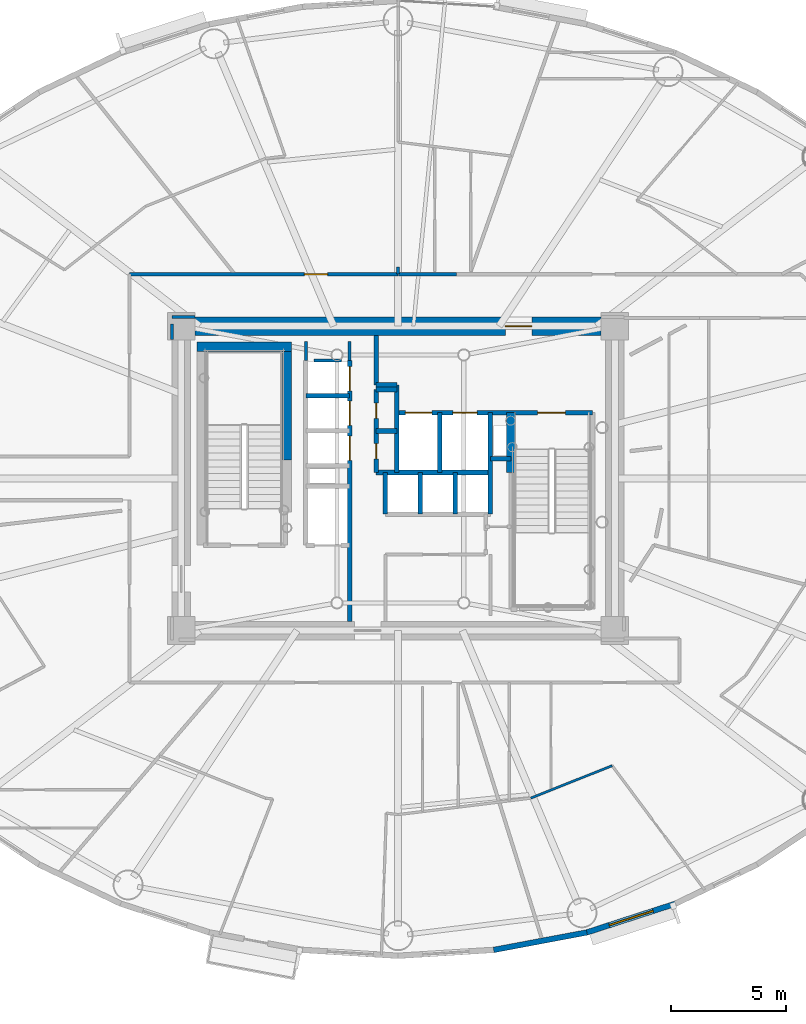
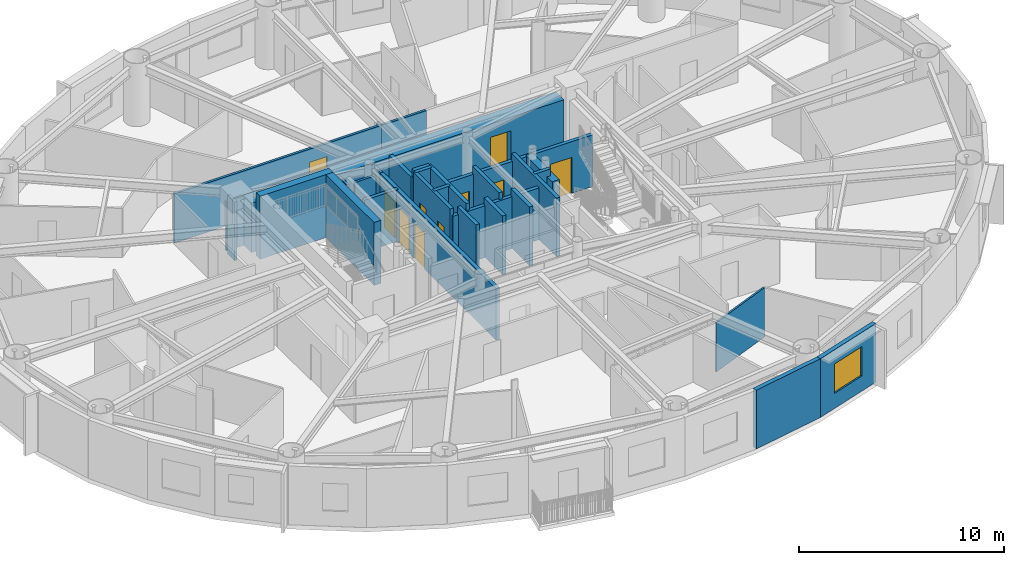
# One storey, part 8 of 17: 31 walls, 10 doors, 1 window, 11 openings.
"""IFC4 building model written with IfcOpenShell, lengths in metres."""

from ifc_helpers import new_model, si_unit, direction, frame, frame_2d, origin, origin_2d, place, context, subcontext, project, spatial, rectangle, extrude, source, transform, mapped, material, layer, layer_set, type_object, element, fill, save


model = new_model("IFC4")

# Units and contexts
model_context = context("Model", 3, precision=1e-05, world=origin(), true_north=direction((0.0, 1.0)))
body_context = subcontext(model_context, "Body", "Model", "MODEL_VIEW")
ifc_project = project(units=[si_unit("LENGTHUNIT", "METRE"), si_unit("AREAUNIT", "SQUARE_METRE"), si_unit("VOLUMEUNIT", "CUBIC_METRE"), si_unit("PLANEANGLEUNIT", "RADIAN"), si_unit("MASSUNIT", "GRAM", prefix="KILO")], contexts=[model_context])

# Site, building, storey
site_placement = place(None, origin())
site = spatial("IfcSite", under=ifc_project, at=site_placement, CompositionType="ELEMENT")
building_placement = place(site_placement, origin())
building = spatial("IfcBuilding", under=site, at=building_placement, Name="Linh Dai School and Residence Tower", CompositionType="ELEMENT")
storey_placement = place(building_placement, frame((0.0, 0.0, 182.39990234375)))
storey = spatial("IfcBuildingStorey", under=building, at=storey_placement, Name="L44", CompositionType="ELEMENT", Elevation=182.39990234375)

# Wall
ifc_material_1 = material(Name="Precast Concrete B45 (C35/45)", Category="concrete")
ifc_layer_1 = layer(ifc_material_1, 0.239990234375)
ifc_layer_set_1 = layer_set([ifc_layer_1], Name="Precast Concrete B45 (C35/45)")
wall_type_1 = type_object("IfcWallType", Name="EW-TC-240", PredefinedType="SOLIDWALL", material=ifc_layer_set_1)
wall_1_placement = place(storey_placement, frame((44.18896484375, 7.310546875, 0.0), z_axis=(0.0, 0.0, 1.0), x_axis=(-0.982788108205, -0.184736391573, 0.0)))
element("IfcWall", 1, at=wall_1_placement, inside=storey, type_object=wall_type_1, Name="L44 Terracotta Exterior Wall 32", PredefinedType="SOLIDWALL", context=body_context, shape_type="SweptSolid", body=[
    extrude(rectangle(XDim=4.114013671875, YDim=0.239990234375, at=frame_2d((2.05712890625, 0.0))), origin(), (0.0, 0.0, 1.0), 3.5),
])

# Wall, opening, window
wall_2_placement = place(storey_placement, frame((48.02978515625, 8.556396484375, 0.0), z_axis=(0.0, 0.0, 1.0), x_axis=(-0.951209870236, -0.30854462038, 0.0)))
wall_2 = element("IfcWall", 2, at=wall_2_placement, inside=storey, type_object=wall_type_1, Name="L44 Terracotta Exterior Wall 33", PredefinedType="SOLIDWALL", context=body_context, shape_type="SweptSolid", body=[
    extrude(rectangle(XDim=4.037841796875, YDim=0.239990234375, at=frame_2d((2.01904296875, 0.0))), origin(), (0.0, 0.0, 1.0), 3.5),
])
opening_1_placement = place(wall_2_placement, frame((1.01904296875, 0.0, 0.89990234375)))
opening_1 = element("IfcOpeningElement", 3, at=opening_1_placement, cuts=wall_2, Name="Opening W1", PredefinedType="OPENING", context=body_context, shape_type="SweptSolid", body=[
    extrude(rectangle(XDim=2.0, YDim=1.75, at=origin_2d()), frame((1.0, 0.1298828125, 0.875), z_axis=(0.0, -1.0, 0.0), x_axis=(1.0, 0.0, 0.0)), (0.0, 0.0, 1.0), 0.260009765625),
])
ifc_material_2 = material(Name="Double Low-E Insulated Glazing", Category="glass")
window_type = type_object("IfcWindowType", Name="WN-RES-2000x1750", PartitioningType="DOUBLE_PANEL_VERTICAL", PredefinedType="WINDOW", material=ifc_material_2)
shared_shape_1 = source(origin(), body_context, "Body", "SweptSolid", [
    extrude(rectangle(XDim=2.0, YDim=1.75, at=origin_2d()), frame((1.0, 0.030029296875, 0.875), z_axis=(0.0, -1.0, 0.0), x_axis=(1.0, 0.0, 0.0)), (0.0, 0.0, 1.0), 0.06005859375),
])
window_placement = place(opening_1_placement, origin())
window = element("IfcWindow", 4, at=window_placement, inside=storey, type_object=window_type, Name="L44 Exterior Window 33.1", OverallHeight=1.75, OverallWidth=2.0, PartitioningType="DOUBLE_PANEL_VERTICAL", PredefinedType="WINDOW", context=body_context, shape_type="MappedRepresentation", body=[
    mapped(shared_shape_1, transform((0.0, 0.0, 0.0), x_axis=(1.0, 0.0, 0.0), y_axis=(0.0, 1.0, 0.0), z_axis=(0.0, 0.0, 1.0), scale=1.0)),
])
fill(opening_1, window)

# Wall, opening, door
ifc_material_3 = material(Name="Autoclaved Aerated Concrete Blockwork", Category="masonry")
ifc_layer_2 = layer(ifc_material_3, 0.135009765625)
ifc_layer_set_2 = layer_set([ifc_layer_2], Name="Autoclaved Aerated Concrete Blockwork")
wall_type_2 = type_object("IfcWallType", Name="IW-CORR-135-EI90", PredefinedType="PARTITIONING", material=ifc_layer_set_2)
wall_3_placement = place(storey_placement, frame((24.35009765625, 35.85009765625, 0.0), z_axis=(0.0, 0.0, 1.0), x_axis=(1.0, 0.0, 0.0)))
wall_3 = element("IfcWall", 5, at=wall_3_placement, inside=storey, type_object=wall_type_2, Name="L44 Interior Partition Wall 024", PredefinedType="PARTITIONING", context=body_context, shape_type="SweptSolid", body=[
    extrude(rectangle(XDim=11.654052734375, YDim=0.135009765625, at=frame_2d((5.8271484375, 0.0))), origin(), (0.0, 0.0, 1.0), 2.93505859375),
])
opening_2_placement = place(wall_3_placement, frame((7.59228515625, 0.0, 0.0)))
opening_2 = element("IfcOpeningElement", 6, at=opening_2_placement, cuts=wall_3, Name="Opening D03", PredefinedType="OPENING", context=body_context, shape_type="SweptSolid", body=[
    extrude(rectangle(XDim=1.0, YDim=2.14990234375, at=origin_2d()), frame((0.5, 0.07763671875, 1.074951171875), z_axis=(0.0, -1.0, 0.0), x_axis=(1.0, 0.0, 0.0)), (0.0, 0.0, 1.0), 0.155029296875),
])
ifc_material_4 = material(Name="Fire-Rated Solid Timber Entrance Door", Category="wood")
door_type_1 = type_object("IfcDoorType", Name="DR-FLAT-1000x2150-FD60S", OperationType="NOTDEFINED", PredefinedType="DOOR", material=ifc_material_4)
shared_shape_2 = source(origin(), body_context, "Body", "SweptSolid", [
    extrude(rectangle(XDim=1.0, YDim=2.14990234375, at=origin_2d()), frame((0.5, 0.02490234375, 1.074951171875), z_axis=(0.0, -1.0, 0.0), x_axis=(1.0, 0.0, 0.0)), (0.0, 0.0, 1.0), 0.050048828125),
])
door_1_placement = place(opening_2_placement, origin())
door_1 = element("IfcDoor", 7, at=door_1_placement, inside=storey, type_object=door_type_1, Name="L44 U4402 Apartment Entrance Door", OperationType="SINGLE_SWING_RIGHT", OverallHeight=2.14990234375, OverallWidth=1.0, PredefinedType="DOOR", context=body_context, shape_type="MappedRepresentation", body=[
    mapped(shared_shape_2, transform((0.0, 0.0, 0.0), x_axis=(1.0, 0.0, 0.0), y_axis=(0.0, 1.0, 0.0), z_axis=(0.0, 0.0, 1.0), scale=1.0)),
])
fill(opening_2, door_1)

# Walls
wall_4_placement = place(storey_placement, frame((32.360107421875, 32.10009765625, 0.0), z_axis=(0.0, 0.0, 1.0), x_axis=(1.0, 0.0, 0.0)))
element("IfcWall", 8, at=wall_4_placement, inside=storey, type_object=wall_type_2, Name="L44 Interior Partition Wall 101", PredefinedType="PARTITIONING", context=body_context, shape_type="SweptSolid", body=[
    extrude(rectangle(XDim=1.179931640625, YDim=0.135009765625, at=frame_2d((0.58984375, 0.0))), origin(), (0.0, 0.0, 1.0), 3.085205078125),
])
wall_5_placement = place(storey_placement, frame((32.0, 32.93994140625, 0.0), z_axis=(0.0, 0.0, 1.0), x_axis=(0.0, -1.0, 0.0)))
element("IfcWall", 9, at=wall_5_placement, inside=storey, type_object=wall_type_2, Name="L44 Interior Partition Wall 103", PredefinedType="PARTITIONING", context=body_context, shape_type="SweptSolid", body=[
    extrude(rectangle(XDim=0.829833984375, YDim=0.135009765625, at=frame_2d((0.4150390625, 0.0))), origin(), (0.0, 0.0, 1.0), 3.03515625),
])
wall_6_placement = place(storey_placement, frame((33.89990234375, 32.110107421875, 0.0), z_axis=(0.0, 0.0, 1.0), x_axis=(0.0, 1.0, 0.0)))
element("IfcWall", 10, at=wall_6_placement, inside=storey, type_object=wall_type_2, Name="L44 Interior Partition Wall 104", PredefinedType="PARTITIONING", context=body_context, shape_type="SweptSolid", body=[
    extrude(rectangle(XDim=0.829833984375, YDim=0.135009765625, at=frame_2d((0.4150390625, 0.0))), origin(), (0.0, 0.0, 1.0), 3.085205078125),
])
wall_7_placement = place(storey_placement, frame((36.01416015625, 35.85009765625, 0.0), z_axis=(0.0, 0.0, 1.0), x_axis=(1.0, 0.0, 0.0)))
element("IfcWall", 11, at=wall_7_placement, inside=storey, type_object=wall_type_2, Name="L44 Interior Partition Wall 106", PredefinedType="PARTITIONING", context=body_context, shape_type="SweptSolid", body=[
    extrude(rectangle(XDim=2.51708984375, YDim=0.135009765625, at=frame_2d((1.258544921875, 0.0))), origin(), (0.0, 0.0, 1.0), 2.93505859375),
])
wall_8_placement = place(storey_placement, frame((27.18994140625, 34.0, 0.0), z_axis=(0.0, 0.0, 1.0), x_axis=(-1.0, 0.0, 0.0)))
element("IfcWall", 12, at=wall_8_placement, inside=storey, type_object=wall_type_2, Name="L44 Interior Partition Wall 109", PredefinedType="PARTITIONING", context=body_context, shape_type="SweptSolid", body=[
    extrude(rectangle(XDim=0.989990234375, YDim=0.135009765625, at=frame_2d((0.4951171875, 0.0))), origin(), (0.0, 0.0, 1.0), 2.93505859375),
])
wall_9_placement = place(storey_placement, frame((26.199951171875, 33.6923828125, 0.0), z_axis=(0.0, 0.0, 1.0), x_axis=(0.0, -1.0, 0.0)))
element("IfcWall", 13, at=wall_9_placement, inside=storey, type_object=wall_type_2, Name="L44 Interior Partition Wall 110", PredefinedType="PARTITIONING", context=body_context, shape_type="SweptSolid", body=[
    extrude(rectangle(XDim=0.682373046875, YDim=0.135009765625, at=frame_2d((0.34130859375, 0.0))), origin(), (0.0, 0.0, 1.0), 3.5),
])
wall_10_placement = place(storey_placement, frame((36.004150390625, 36.164794921875, 0.0), z_axis=(0.0, 0.0, 1.0), x_axis=(0.0, -1.0, 0.0)))
element("IfcWall", 14, at=wall_10_placement, inside=storey, type_object=wall_type_2, Name="L44 Interior Partition Wall 117", PredefinedType="PARTITIONING", context=body_context, shape_type="SweptSolid", body=[
    extrude(rectangle(XDim=0.314697265625, YDim=0.135009765625, at=frame_2d((0.1572265625, 0.0))), origin(), (0.0, 0.0, 1.0), 2.93505859375),
])
ifc_material_5 = material(Name="Concrete B45 (C35/45)", Category="concrete")
ifc_layer_3 = layer(ifc_material_5, 0.199951171875)
ifc_layer_set_3 = layer_set([ifc_layer_3], Name="Concrete B45 (C35/45)")
wall_type_3 = type_object("IfcWallType", Name="IW-SHAFT-200-EI120", PredefinedType="PARTITIONING", material=ifc_layer_set_3)
wall_11_placement = place(storey_placement, frame((32.0, 30.580078125, 0.0), z_axis=(0.0, 0.0, 1.0), x_axis=(1.0, 0.0, 0.0)))
element("IfcWall", 15, at=wall_11_placement, inside=storey, type_object=wall_type_3, Name="L44 Interior Partition Wall 038", PredefinedType="PARTITIONING", context=body_context, shape_type="SweptSolid", body=[
    extrude(rectangle(XDim=1.89990234375, YDim=0.199951171875, at=frame_2d((0.949951171875, 0.0))), origin(), (0.0, 0.0, 1.0), 3.085205078125),
])

# Wall, openings, doors
wall_12_placement = place(storey_placement, frame((33.89990234375, 20.800048828125, 0.0), z_axis=(0.0, 0.0, 1.0), x_axis=(0.0, 1.0, 0.0)))
wall_12 = element("IfcWall", 16, at=wall_12_placement, inside=storey, type_object=wall_type_3, Name="L44 Interior Partition Wall 039", PredefinedType="PARTITIONING", context=body_context, shape_type="SweptSolid", body=[
    extrude(rectangle(XDim=11.300048828125, YDim=0.199951171875, at=frame_2d((5.64990234375, 0.0))), origin(), (0.0, 0.0, 1.0), 3.085205078125),
])
opening_3_placement = place(wall_12_placement, frame((6.97998046875, 0.0, 0.0)))
opening_3 = element("IfcOpeningElement", 17, at=opening_3_placement, cuts=wall_12, Name="Opening LD-PL4", PredefinedType="OPENING", context=body_context, shape_type="SweptSolid", body=[
    extrude(rectangle(XDim=1.050048828125, YDim=2.14990234375, at=origin_2d()), frame((0.52490234375, 0.10986328125, 1.074951171875), z_axis=(0.0, -1.0, 0.0), x_axis=(1.0, 0.0, 0.0)), (0.0, 0.0, 1.0), 0.219970703125),
])
opening_4_placement = place(wall_12_placement, frame((8.4951171875, 0.0, 0.0)))
opening_4 = element("IfcOpeningElement", 18, at=opening_4_placement, cuts=wall_12, Name="Opening LD-PL5", PredefinedType="OPENING", context=body_context, shape_type="SweptSolid", body=[
    extrude(rectangle(XDim=1.050048828125, YDim=2.14990234375, at=origin_2d()), frame((0.52490234375, 0.10986328125, 1.074951171875), z_axis=(0.0, -1.0, 0.0), x_axis=(1.0, 0.0, 0.0)), (0.0, 0.0, 1.0), 0.219970703125),
])
opening_5_placement = place(wall_12_placement, frame((9.9951171875, 0.0, 0.0)))
opening_5 = element("IfcOpeningElement", 19, at=opening_5_placement, cuts=wall_12, Name="Opening LD-PL6", PredefinedType="OPENING", context=body_context, shape_type="SweptSolid", body=[
    extrude(rectangle(XDim=1.050048828125, YDim=2.14990234375, at=origin_2d()), frame((0.52490234375, 0.10986328125, 1.074951171875), z_axis=(0.0, -1.0, 0.0), x_axis=(1.0, 0.0, 0.0)), (0.0, 0.0, 1.0), 0.219970703125),
])
ifc_material_6 = material(Name="Brushed Stainless Steel Lift Landing Door", Category="steel")
door_type_2 = type_object("IfcDoorType", Name="DR-LD-PASS-1050x2150", OperationType="DOUBLE_DOOR_SLIDING", PredefinedType="USERDEFINED", material=ifc_material_6)
shared_shape_3 = source(origin(), body_context, "Body", "SweptSolid", [
    extrude(rectangle(XDim=1.050048828125, YDim=2.14990234375, at=origin_2d()), frame((0.52490234375, 0.02490234375, 1.074951171875), z_axis=(0.0, -1.0, 0.0), x_axis=(1.0, 0.0, 0.0)), (0.0, 0.0, 1.0), 0.050048828125),
])
door_2_placement = place(opening_3_placement, origin())
door_2 = element("IfcDoor", 20, at=door_2_placement, inside=storey, type_object=door_type_2, Name="L44 Lift PL4 Sliding Landing Door", ObjectType="LANDING DOOR", OperationType="DOUBLE_DOOR_SLIDING", OverallHeight=2.14990234375, OverallWidth=1.050048828125, PredefinedType="USERDEFINED", context=body_context, shape_type="MappedRepresentation", body=[
    mapped(shared_shape_3, transform((0.0, 0.0, 0.0), x_axis=(1.0, 0.0, 0.0), y_axis=(0.0, 1.0, 0.0), z_axis=(0.0, 0.0, 1.0), scale=1.0)),
])
fill(opening_3, door_2)
door_3_placement = place(opening_4_placement, origin())
door_3 = element("IfcDoor", 21, at=door_3_placement, inside=storey, type_object=door_type_2, Name="L44 Lift PL5 Sliding Landing Door", ObjectType="LANDING DOOR", OperationType="DOUBLE_DOOR_SLIDING", OverallHeight=2.14990234375, OverallWidth=1.050048828125, PredefinedType="USERDEFINED", context=body_context, shape_type="MappedRepresentation", body=[
    mapped(shared_shape_3, transform((0.0, 0.0, 0.0), x_axis=(1.0, 0.0, 0.0), y_axis=(0.0, 1.0, 0.0), z_axis=(0.0, 0.0, 1.0), scale=1.0)),
])
fill(opening_4, door_3)
door_4_placement = place(opening_5_placement, origin())
door_4 = element("IfcDoor", 22, at=door_4_placement, inside=storey, type_object=door_type_2, Name="L44 Lift PL6 Sliding Landing Door", ObjectType="LANDING DOOR", OperationType="DOUBLE_DOOR_SLIDING", OverallHeight=2.14990234375, OverallWidth=1.050048828125, PredefinedType="USERDEFINED", context=body_context, shape_type="MappedRepresentation", body=[
    mapped(shared_shape_3, transform((0.0, 0.0, 0.0), x_axis=(1.0, 0.0, 0.0), y_axis=(0.0, 1.0, 0.0), z_axis=(0.0, 0.0, 1.0), scale=1.0)),
])
fill(opening_5, door_4)

wall_13_placement = place(storey_placement, frame((35.050048828125, 27.25, 0.0), z_axis=(0.0, 0.0, 1.0), x_axis=(0.0, 1.0, 0.0)))
wall_13 = element("IfcWall", 23, at=wall_13_placement, inside=storey, type_object=wall_type_3, Name="L44 Interior Partition Wall 040", PredefinedType="PARTITIONING", context=body_context, shape_type="SweptSolid", body=[
    extrude(rectangle(XDim=3.60009765625, YDim=0.199951171875, at=frame_2d((1.800048828125, 0.0))), origin(), (0.0, 0.0, 1.0), 3.5),
])
opening_6_placement = place(wall_13_placement, frame((0.590087890625, 0.0, 0.0)))
opening_6 = element("IfcOpeningElement", 24, at=opening_6_placement, cuts=wall_13, Name="Opening AD1", PredefinedType="OPENING", context=body_context, shape_type="SweptSolid", body=[
    extrude(rectangle(XDim=0.659912109375, YDim=2.050048828125, at=origin_2d()), frame((0.330078125, 0.10986328125, 1.02490234375), z_axis=(0.0, -1.0, 0.0), x_axis=(1.0, 0.0, 0.0)), (0.0, 0.0, 1.0), 0.219970703125),
])
opening_7_placement = place(wall_13_placement, frame((2.35009765625, 0.0, 0.0)))
opening_7 = element("IfcOpeningElement", 25, at=opening_7_placement, cuts=wall_13, Name="Opening AD1", PredefinedType="OPENING", context=body_context, shape_type="SweptSolid", body=[
    extrude(rectangle(XDim=0.659912109375, YDim=2.050048828125, at=origin_2d()), frame((0.330078125, 0.10986328125, 1.02490234375), z_axis=(0.0, -1.0, 0.0), x_axis=(1.0, 0.0, 0.0)), (0.0, 0.0, 1.0), 0.219970703125),
])
ifc_material_7 = material(Name="Fire-Rated Steel Riser Access Door", Category="steel")
door_type_3 = type_object("IfcDoorType", Name="DR-ACC-660x2050-FD90S", OperationType="NOTDEFINED", PredefinedType="USERDEFINED", material=ifc_material_7)
shared_shape_4 = source(origin(), body_context, "Body", "SweptSolid", [
    extrude(rectangle(XDim=0.659912109375, YDim=2.050048828125, at=origin_2d()), frame((0.330078125, 0.02490234375, 1.02490234375), z_axis=(0.0, -1.0, 0.0), x_axis=(1.0, 0.0, 0.0)), (0.0, 0.0, 1.0), 0.050048828125),
])
door_5_placement = place(opening_6_placement, origin())
door_5 = element("IfcDoor", 26, at=door_5_placement, inside=storey, type_object=door_type_3, Name="L44 Telecom and Data Riser Access Door", ObjectType="ACCESS DOOR", OperationType="SINGLE_SWING_LEFT", OverallHeight=2.050048828125, OverallWidth=0.659912109375, PredefinedType="USERDEFINED", context=body_context, shape_type="MappedRepresentation", body=[
    mapped(shared_shape_4, transform((0.0, 0.0, 0.0), x_axis=(1.0, 0.0, 0.0), y_axis=(0.0, 1.0, 0.0), z_axis=(0.0, 0.0, 1.0), scale=1.0)),
])
fill(opening_6, door_5)
door_6_placement = place(opening_7_placement, origin())
door_6 = element("IfcDoor", 27, at=door_6_placement, inside=storey, type_object=door_type_3, Name="L44 Mechanical and Plumbing Riser Access Door", ObjectType="ACCESS DOOR", OperationType="SINGLE_SWING_RIGHT", OverallHeight=2.050048828125, OverallWidth=0.659912109375, PredefinedType="USERDEFINED", context=body_context, shape_type="MappedRepresentation", body=[
    mapped(shared_shape_4, transform((0.0, 0.0, 0.0), x_axis=(1.0, 0.0, 0.0), y_axis=(0.0, 1.0, 0.0), z_axis=(0.0, 0.0, 1.0), scale=1.0)),
])
fill(opening_7, door_6)

# Walls
wall_14_placement = place(storey_placement, frame((35.050048828125, 27.25, 0.0), z_axis=(0.0, 0.0, 1.0), x_axis=(1.0, 0.0, 0.0)))
element("IfcWall", 28, at=wall_14_placement, inside=storey, type_object=wall_type_3, Name="L44 Interior Partition Wall 041", PredefinedType="PARTITIONING", context=body_context, shape_type="SweptSolid", body=[
    extrude(rectangle(XDim=4.949951171875, YDim=0.199951171875, at=frame_2d((2.47509765625, 0.0))), origin(), (0.0, 0.0, 1.0), 3.085205078125),
])
for number, where, z_axis, x_axis, name in (
    (29, (35.050048828125, 29.050048828125, 0.0), (0.0, 0.0, 1.0), (1.0, 0.0, 0.0), "L44 Interior Partition Wall 042"),
    (30, (35.050048828125, 30.85009765625, 0.0), (0.0, 0.0, 1.0), (1.0, 0.0, 0.0), "L44 Interior Partition Wall 043"),
):
    element("IfcWall", number, at=place(storey_placement, frame(where, z_axis=z_axis, x_axis=x_axis)), inside=storey, type_object=wall_type_3, Name=name, PredefinedType="PARTITIONING", context=body_context, shape_type="SweptSolid", body=[
        extrude(rectangle(XDim=0.89990234375, YDim=0.199951171875, at=frame_2d((0.449951171875, 0.0))), origin(), (0.0, 0.0, 1.0), 3.5),
    ])
wall_15_placement = place(storey_placement, frame((35.050048828125, 31.050048828125, 0.0), z_axis=(0.0, 0.0, 1.0), x_axis=(0.0, 1.0, 0.0)))
element("IfcWall", 31, at=wall_15_placement, inside=storey, type_object=wall_type_3, Name="L44 Interior Partition Wall 044", PredefinedType="PARTITIONING", context=body_context, shape_type="SweptSolid", body=[
    extrude(rectangle(XDim=2.14990234375, YDim=0.199951171875, at=frame_2d((1.074951171875, 0.0))), origin(), (0.0, 0.0, 1.0), 3.085205078125),
])
wall_16_placement = place(storey_placement, frame((35.050048828125, 31.050048828125, 0.0), z_axis=(0.0, 0.0, 1.0), x_axis=(1.0, 0.0, 0.0)))
element("IfcWall", 32, at=wall_16_placement, inside=storey, type_object=wall_type_3, Name="L44 Interior Partition Wall 045", PredefinedType="PARTITIONING", context=body_context, shape_type="SweptSolid", body=[
    extrude(rectangle(XDim=0.89990234375, YDim=0.199951171875, at=frame_2d((0.449951171875, 0.0))), origin(), (0.0, 0.0, 1.0), 3.5),
])
wall_17_placement = place(storey_placement, frame((35.449951171875, 25.449951171875, 0.0), z_axis=(0.0, 0.0, 1.0), x_axis=(0.0, 1.0, 0.0)))
element("IfcWall", 33, at=wall_17_placement, inside=storey, type_object=wall_type_3, Name="L44 Interior Partition Wall 049", PredefinedType="PARTITIONING", context=body_context, shape_type="SweptSolid", body=[
    extrude(rectangle(XDim=1.800048828125, YDim=0.199951171875, at=frame_2d((0.89990234375, 0.0))), origin(), (0.0, 0.0, 1.0), 3.5),
])
wall_18_placement = place(storey_placement, frame((35.949951171875, 27.25, 0.0), z_axis=(0.0, 0.0, 1.0), x_axis=(0.0, 1.0, 0.0)))
element("IfcWall", 34, at=wall_18_placement, inside=storey, type_object=wall_type_3, Name="L44 Interior Partition Wall 052", PredefinedType="PARTITIONING", context=body_context, shape_type="SweptSolid", body=[
    extrude(rectangle(XDim=3.800048828125, YDim=0.199951171875, at=frame_2d((1.89990234375, 0.0))), origin(), (0.0, 0.0, 1.0), 3.5),
])

# Wall, openings, doors
wall_19_placement = place(storey_placement, frame((35.949951171875, 29.85009765625, 0.0), z_axis=(0.0, 0.0, 1.0), x_axis=(1.0, 0.0, 0.0)))
wall_19 = element("IfcWall", 35, at=wall_19_placement, inside=storey, type_object=wall_type_3, Name="L44 Interior Partition Wall 053", PredefinedType="PARTITIONING", context=body_context, shape_type="SweptSolid", body=[
    extrude(rectangle(XDim=8.489990234375, YDim=0.199951171875, at=frame_2d((4.2451171875, 0.0))), origin(), (0.0, 0.0, 1.0), 3.085205078125),
])
opening_8_placement = place(wall_19_placement, frame((6.10009765625, 0.0, 0.0)))
opening_8 = element("IfcOpeningElement", 36, at=opening_8_placement, cuts=wall_19, Name="Opening D01", PredefinedType="OPENING", context=body_context, shape_type="SweptSolid", body=[
    extrude(rectangle(XDim=1.199951171875, YDim=2.14990234375, at=origin_2d()), frame((0.60009765625, 0.10986328125, 1.074951171875), z_axis=(0.0, -1.0, 0.0), x_axis=(1.0, 0.0, 0.0)), (0.0, 0.0, 1.0), 0.219970703125),
])
opening_9_placement = place(wall_19_placement, frame((0.3701171875, 0.0, 0.0)))
opening_9 = element("IfcOpeningElement", 37, at=opening_9_placement, cuts=wall_19, Name="Opening LD-FF1", PredefinedType="OPENING", context=body_context, shape_type="SweptSolid", body=[
    extrude(rectangle(XDim=1.14990234375, YDim=2.14990234375, at=origin_2d()), frame((0.574951171875, 0.10986328125, 1.074951171875), z_axis=(0.0, -1.0, 0.0), x_axis=(1.0, 0.0, 0.0)), (0.0, 0.0, 1.0), 0.219970703125),
])
opening_10_placement = place(wall_19_placement, frame((2.425048828125, 0.0, 0.0)))
opening_10 = element("IfcOpeningElement", 38, at=opening_10_placement, cuts=wall_19, Name="Opening LD-SV1", PredefinedType="OPENING", context=body_context, shape_type="SweptSolid", body=[
    extrude(rectangle(XDim=1.050048828125, YDim=2.14990234375, at=origin_2d()), frame((0.52490234375, 0.10986328125, 1.074951171875), z_axis=(0.0, -1.0, 0.0), x_axis=(1.0, 0.0, 0.0)), (0.0, 0.0, 1.0), 0.219970703125),
])
ifc_material_8 = material(Name="Fire-Rated Steel Door Leaf", Category="steel")
door_type_4 = type_object("IfcDoorType", Name="DR-STAIR-1200x2150-FD90S", OperationType="NOTDEFINED", PredefinedType="DOOR", material=ifc_material_8)
shared_shape_5 = source(origin(), body_context, "Body", "SweptSolid", [
    extrude(rectangle(XDim=1.199951171875, YDim=2.14990234375, at=origin_2d()), frame((0.60009765625, 0.02490234375, 1.074951171875), z_axis=(0.0, -1.0, 0.0), x_axis=(1.0, 0.0, 0.0)), (0.0, 0.0, 1.0), 0.050048828125),
])
door_7_placement = place(opening_8_placement, origin())
door_7 = element("IfcDoor", 39, at=door_7_placement, inside=storey, type_object=door_type_4, Name="L44 Core Smokeproof Exit Stair ST2 Door", OperationType="SINGLE_SWING_LEFT", OverallHeight=2.14990234375, OverallWidth=1.199951171875, PredefinedType="DOOR", context=body_context, shape_type="MappedRepresentation", body=[
    mapped(shared_shape_5, transform((0.0, 0.0, 0.0), x_axis=(1.0, 0.0, 0.0), y_axis=(0.0, 1.0, 0.0), z_axis=(0.0, 0.0, 1.0), scale=1.0)),
])
fill(opening_8, door_7)
ifc_material_9 = material(Name="Fire-Rated Stainless Steel Firefighting Lift Door", Category="steel")
door_type_5 = type_object("IfcDoorType", Name="DR-LD-FF-1150x2150-FD120", OperationType="DOUBLE_DOOR_SLIDING", PredefinedType="USERDEFINED", material=ifc_material_9)
shared_shape_6 = source(origin(), body_context, "Body", "SweptSolid", [
    extrude(rectangle(XDim=1.14990234375, YDim=2.14990234375, at=origin_2d()), frame((0.574951171875, 0.02490234375, 1.074951171875), z_axis=(0.0, -1.0, 0.0), x_axis=(1.0, 0.0, 0.0)), (0.0, 0.0, 1.0), 0.050048828125),
])
door_8_placement = place(opening_9_placement, origin())
door_8 = element("IfcDoor", 40, at=door_8_placement, inside=storey, type_object=door_type_5, Name="L44 Lift FF1 Sliding Landing Door", ObjectType="LANDING DOOR", OperationType="DOUBLE_DOOR_SLIDING", OverallHeight=2.14990234375, OverallWidth=1.14990234375, PredefinedType="USERDEFINED", context=body_context, shape_type="MappedRepresentation", body=[
    mapped(shared_shape_6, transform((0.0, 0.0, 0.0), x_axis=(1.0, 0.0, 0.0), y_axis=(0.0, 1.0, 0.0), z_axis=(0.0, 0.0, 1.0), scale=1.0)),
])
fill(opening_9, door_8)
door_9_placement = place(opening_10_placement, origin())
door_9 = element("IfcDoor", 41, at=door_9_placement, inside=storey, type_object=door_type_2, Name="L44 Lift SV1 Sliding Landing Door", ObjectType="LANDING DOOR", OperationType="DOUBLE_DOOR_SLIDING", OverallHeight=2.14990234375, OverallWidth=1.050048828125, PredefinedType="USERDEFINED", context=body_context, shape_type="MappedRepresentation", body=[
    mapped(shared_shape_3, transform((0.0, 0.0, 0.0), x_axis=(1.0, 0.0, 0.0), y_axis=(0.0, 1.0, 0.0), z_axis=(0.0, 0.0, 1.0), scale=1.0)),
])
fill(opening_10, door_9)

# Walls
wall_20_placement = place(storey_placement, frame((36.9599609375, 25.449951171875, 0.0), z_axis=(0.0, 0.0, 1.0), x_axis=(0.0, 1.0, 0.0)))
element("IfcWall", 42, at=wall_20_placement, inside=storey, type_object=wall_type_3, Name="L44 Interior Partition Wall 057", PredefinedType="PARTITIONING", context=body_context, shape_type="SweptSolid", body=[
    extrude(rectangle(XDim=1.800048828125, YDim=0.199951171875, at=frame_2d((0.89990234375, 0.0))), origin(), (0.0, 0.0, 1.0), 3.5),
])
wall_21_placement = place(storey_placement, frame((37.800048828125, 27.25, 0.0), z_axis=(0.0, 0.0, 1.0), x_axis=(0.0, 1.0, 0.0)))
element("IfcWall", 43, at=wall_21_placement, inside=storey, type_object=wall_type_3, Name="L44 Interior Partition Wall 060", PredefinedType="PARTITIONING", context=body_context, shape_type="SweptSolid", body=[
    extrude(rectangle(XDim=2.60009765625, YDim=0.199951171875, at=frame_2d((1.300048828125, 0.0))), origin(), (0.0, 0.0, 1.0), 3.5),
])
wall_22_placement = place(storey_placement, frame((38.47998046875, 25.449951171875, 0.0), z_axis=(0.0, 0.0, 1.0), x_axis=(0.0, 1.0, 0.0)))
element("IfcWall", 44, at=wall_22_placement, inside=storey, type_object=wall_type_3, Name="L44 Interior Partition Wall 061", PredefinedType="PARTITIONING", context=body_context, shape_type="SweptSolid", body=[
    extrude(rectangle(XDim=1.800048828125, YDim=0.199951171875, at=frame_2d((0.89990234375, 0.0))), origin(), (0.0, 0.0, 1.0), 3.5),
])
wall_23_placement = place(storey_placement, frame((40.0, 25.449951171875, 0.0), z_axis=(0.0, 0.0, 1.0), x_axis=(0.0, 1.0, 0.0)))
element("IfcWall", 45, at=wall_23_placement, inside=storey, type_object=wall_type_3, Name="L44 Interior Partition Wall 070", PredefinedType="PARTITIONING", context=body_context, shape_type="SweptSolid", body=[
    extrude(rectangle(XDim=4.400146484375, YDim=0.199951171875, at=frame_2d((2.2001953125, 0.0))), origin(), (0.0, 0.0, 1.0), 3.5),
])
wall_24_placement = place(storey_placement, frame((40.0, 27.85009765625, 0.0), z_axis=(0.0, 0.0, 1.0), x_axis=(1.0, 0.0, 0.0)))
element("IfcWall", 46, at=wall_24_placement, inside=storey, type_object=wall_type_3, Name="L44 Interior Partition Wall 071", PredefinedType="PARTITIONING", context=body_context, shape_type="SweptSolid", body=[
    extrude(rectangle(XDim=0.89990234375, YDim=0.199951171875, at=frame_2d((0.449951171875, 0.0))), origin(), (0.0, 0.0, 1.0), 3.5),
])
ifc_material_10 = material(Name="Gypsum Plasterboard Acoustic Stud Partition", Category="masonry")
ifc_layer_4 = layer(ifc_material_10, 0.10009765625)
ifc_layer_set_4 = layer_set([ifc_layer_4], Name="Gypsum Plasterboard Acoustic Stud Partition")
wall_type_4 = type_object("IfcWallType", Name="IW-UNIT-100", PredefinedType="PARTITIONING", material=ifc_layer_set_4)
wall_25_placement = place(storey_placement, frame((41.75390625, 13.132568359375, 0.0), z_axis=(0.0, 0.0, 1.0), x_axis=(0.928786664236, 0.370614803182, 0.0)))
element("IfcWall", 47, at=wall_25_placement, inside=storey, type_object=wall_type_4, Name="L44 Interior Partition Wall 075", PredefinedType="PARTITIONING", context=body_context, shape_type="SweptSolid", body=[
    extrude(rectangle(XDim=3.79833984375, YDim=0.10009765625, at=frame_2d((1.899169921875, 0.0))), origin(), (0.0, 0.0, 1.0), 2.93505859375),
])
ifc_layer_5 = layer(ifc_material_5, 0.39990234375)
ifc_layer_set_5 = layer_set([ifc_layer_5], Name="Concrete B45 (C35/45)")
wall_type_5 = type_object("IfcWallType", Name="WL-CORE400", PredefinedType="SHEAR", material=ifc_layer_set_5)
wall_26_placement = place(storey_placement, frame((31.179931640625, 27.800048828125, 0.0), z_axis=(0.0, 0.0, 1.0), x_axis=(0.0, 1.0, 0.0)))
element("IfcWall", 48, at=wall_26_placement, inside=storey, type_object=wall_type_5, Name="L44 Core Stair ST1 Bearing Wall E", PredefinedType="SHEAR", context=body_context, shape_type="SweptSolid", body=[
    extrude(rectangle(XDim=4.89990234375, YDim=0.39990234375, at=frame_2d((2.449951171875, 0.0))), origin(), (0.0, 0.0, 1.0), 3.75),
])
wall_27_placement = place(storey_placement, frame((27.280029296875, 32.699951171875, 0.0), z_axis=(0.0, 0.0, 1.0), x_axis=(1.0, 0.0, 0.0)))
element("IfcWall", 49, at=wall_27_placement, inside=storey, type_object=wall_type_5, Name="L44 Core Stair ST1 Bearing Wall N", PredefinedType="SHEAR", context=body_context, shape_type="SweptSolid", body=[
    extrude(rectangle(XDim=4.099853515625, YDim=0.39990234375, at=frame_2d((2.0498046875, 0.0))), origin(), (0.0, 0.0, 1.0), 3.75),
])
wall_28_placement = place(storey_placement, frame((40.89990234375, 27.25, 0.0), z_axis=(0.0, 0.0, 1.0), x_axis=(0.0, 1.0, 0.0)))
element("IfcWall", 50, at=wall_28_placement, inside=storey, type_object=wall_type_5, Name="L44 Internal Core Shear Wall IE", PredefinedType="SHEAR", context=body_context, shape_type="SweptSolid", body=[
    extrude(rectangle(XDim=2.60009765625, YDim=0.39990234375, at=frame_2d((1.300048828125, 0.0))), origin(), (0.0, 0.0, 1.0), 3.10009765625),
])

# Wall, opening, door
ifc_material_11 = material(Name="Concrete B60 (C50/60)", Category="concrete")
ifc_layer_6 = layer(ifc_material_11, 0.800048828125)
ifc_layer_set_6 = layer_set([ifc_layer_6], Name="Concrete B60 (C50/60)")
wall_type_6 = type_object("IfcWallType", Name="WL-CORE800", PredefinedType="SHEAR", material=ifc_layer_set_6)
wall_29_placement = place(storey_placement, frame((27.199951171875, 33.60009765625, 0.0), z_axis=(0.0, 0.0, 1.0), x_axis=(1.0, 0.0, 0.0)))
wall_29 = element("IfcWall", 51, at=wall_29_placement, inside=storey, type_object=wall_type_6, Name="L44 Central Core Shear Wall N", PredefinedType="SHEAR", context=body_context, shape_type="SweptSolid", body=[
    extrude(rectangle(XDim=17.60009765625, YDim=0.800048828125, at=frame_2d((8.800048828125, 0.0))), origin(), (0.0, 0.0, 1.0), 2.9501953125),
])
opening_11_placement = place(wall_29_placement, frame((13.449951171875, 0.0, 0.0)))
opening_11 = element("IfcOpeningElement", 52, at=opening_11_placement, cuts=wall_29, Name="Opening D02", PredefinedType="OPENING", context=body_context, shape_type="SweptSolid", body=[
    extrude(rectangle(XDim=1.14990234375, YDim=2.14990234375, at=origin_2d()), frame((0.574951171875, 0.41015625, 1.074951171875), z_axis=(0.0, -1.0, 0.0), x_axis=(1.0, 0.0, 0.0)), (0.0, 0.0, 1.0), 0.820068359375),
])
ifc_material_12 = material(Name="Fire-Rated Glazed Steel Lobby Door", Category="steel")
door_type_6 = type_object("IfcDoorType", Name="DR-LOBBY-1150x2150-FD90S", OperationType="NOTDEFINED", PredefinedType="DOOR", material=ifc_material_12)
shared_shape_7 = source(origin(), body_context, "Body", "SweptSolid", [
    extrude(rectangle(XDim=1.14990234375, YDim=2.14990234375, at=origin_2d()), frame((0.574951171875, 0.02490234375, 1.074951171875), z_axis=(0.0, -1.0, 0.0), x_axis=(1.0, 0.0, 0.0)), (0.0, 0.0, 1.0), 0.050048828125),
])
door_10_placement = place(opening_11_placement, origin())
door_10 = element("IfcDoor", 53, at=door_10_placement, inside=storey, type_object=door_type_6, Name="L44 Firefighting Lobby Door", OperationType="SINGLE_SWING_RIGHT", OverallHeight=2.14990234375, OverallWidth=1.14990234375, PredefinedType="DOOR", context=body_context, shape_type="MappedRepresentation", body=[
    mapped(shared_shape_7, transform((0.0, 0.0, 0.0), x_axis=(1.0, 0.0, 0.0), y_axis=(0.0, 1.0, 0.0), z_axis=(0.0, 0.0, 1.0), scale=1.0)),
])
fill(opening_11, door_10)

save(model, "model.ifc")
